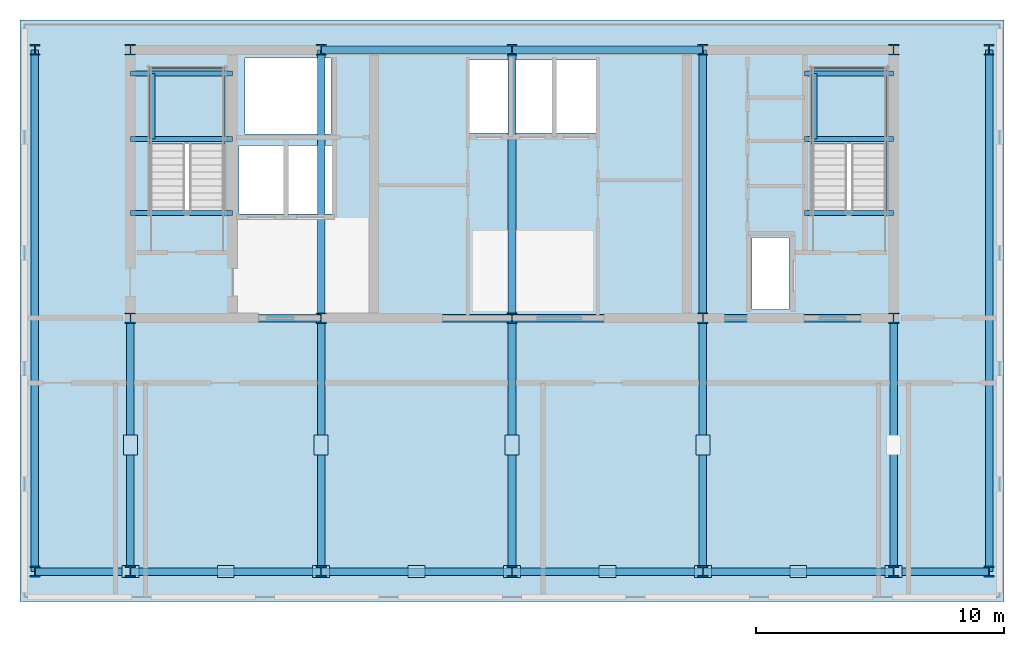
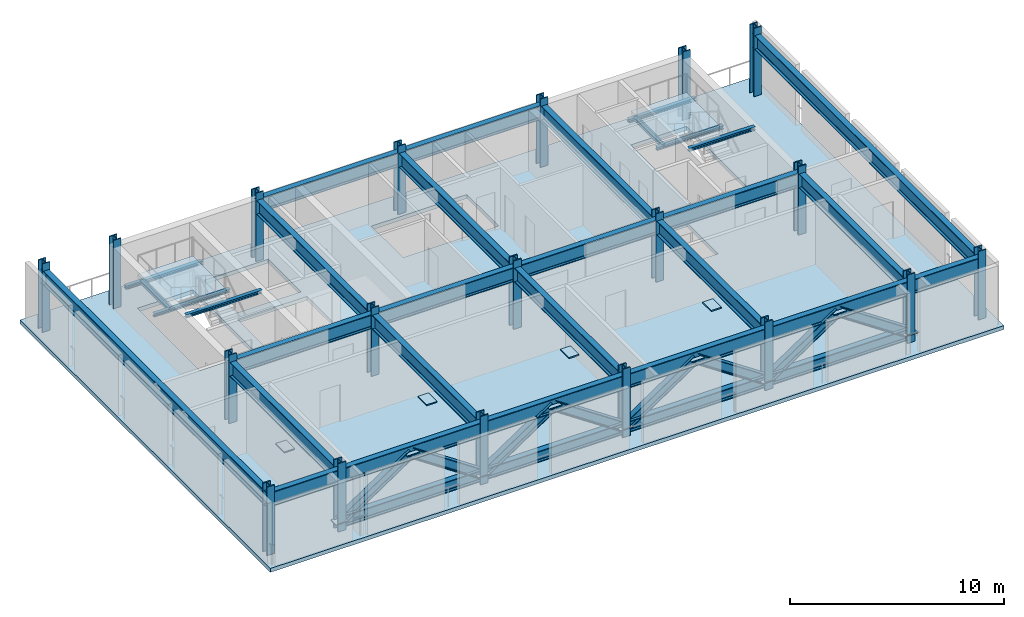
# One storey, part 1 of 8: 30 beams, 19 columns, 13 plates, 12 members, 3 slabs, 2 elements without a shape of their own.
"""IFC4 building model written with IfcOpenShell, lengths in metres."""

import ifcopenshell
import ifcopenshell.guid

model = None  # the IFC model being written
_history = None  # IfcOwnerHistory: only IFC2X3 demands one
_inside = {}  # id of a spatial element -> (the spatial element, [elements in it])
_under = {}  # id of a project, library or spatial element -> (it, [spatial elements below it])
_declared = {}  # id of a project -> (the project, [libraries it declares])
_typed = {}  # id of a type object -> (the type object, [elements of that type])
_made_of = {}  # id of a material, layer set ... -> (it, [elements and type objects made of it])


def new_model(schema):
    """Start an empty IFC model of exactly this schema.

    Asked for "IFC4X3", IfcOpenShell would pick the latest addendum, in which some entities
    have other attributes; the version numbers below select the first issue.
    IFC2X3 requires an IfcOwnerHistory on every rooted entity: one is made here for all.
    """
    global model, _history
    if schema == "IFC4X3":
        model = ifcopenshell.file(schema_version=(4, 3, 0, 0))
    else:
        model = ifcopenshell.file(schema=schema)
    _inside.clear()
    _under.clear()
    _declared.clear()
    _typed.clear()
    _made_of.clear()
    _history = None
    if model.schema == "IFC2X3":
        org = make("IfcOrganization", Name="unknown")
        user = make(
            "IfcPersonAndOrganization",
            ThePerson=make("IfcPerson", FamilyName="unknown"),
            TheOrganization=org,
        )
        app = make(
            "IfcApplication",
            ApplicationDeveloper=org,
            Version="unknown",
            ApplicationFullName="unknown",
            ApplicationIdentifier="unknown",
        )
        _history = make(
            "IfcOwnerHistory",
            OwningUser=user,
            OwningApplication=app,
            ChangeAction="ADDED",
            CreationDate=0,
        )
    return model


def make(cls, **values):
    """One entity of the class cls with the attributes given. An attribute that is None is left unset."""
    return model.create_entity(
        cls, **{name: value for name, value in values.items() if value is not None}
    )


def rooted(cls, **values):
    """An entity with a GlobalId (a new one), such as an element, a storey or a relation."""
    return make(cls, GlobalId=ifcopenshell.guid.new(), OwnerHistory=_history, **values)


def si_unit(unit_type, name, prefix=None):
    """IfcSIUnit, for example si_unit("LENGTHUNIT", "METRE", prefix="MILLI")."""
    return make("IfcSIUnit", UnitType=unit_type, Prefix=prefix, Name=name)


def assignment(units):
    """IfcUnitAssignment: the units of a project."""
    return None if units is None else make("IfcUnitAssignment", Units=units)


def point(xyz):
    """IfcCartesianPoint."""
    return None if xyz is None else make("IfcCartesianPoint", Coordinates=xyz)


def direction(xyz):
    """IfcDirection."""
    return None if xyz is None else make("IfcDirection", DirectionRatios=xyz)


def frame(location, z_axis=None, x_axis=None):
    """IfcAxis2Placement3D, a coordinate frame: its origin and axes. An axis left out is left unset."""
    return make(
        "IfcAxis2Placement3D",
        Location=point(location),
        Axis=direction(z_axis),
        RefDirection=direction(x_axis),
    )


def frame_2d(location, x_axis=None):
    """IfcAxis2Placement2D, a coordinate frame in the plane: its origin and x axis."""
    return make(
        "IfcAxis2Placement2D", Location=point(location), RefDirection=direction(x_axis)
    )


def origin():
    """The frame at (0, 0, 0) with its axes left unset."""
    return frame((0.0, 0.0, 0.0))


def origin_2d():
    """The frame at (0, 0) in the plane with its x axis left unset."""
    return frame_2d((0.0, 0.0))


def place(relative_to, where):
    """IfcLocalPlacement: puts the frame where relative to a parent placement (None: the world)."""
    return make(
        "IfcLocalPlacement", PlacementRelTo=relative_to, RelativePlacement=where
    )


def context(
    kind, dimensions, precision=None, world=None, true_north=None, identifier=None
):
    """IfcGeometricRepresentationContext, for example the 3D "Model" context."""
    return make(
        "IfcGeometricRepresentationContext",
        ContextIdentifier=identifier,
        ContextType=kind,
        CoordinateSpaceDimension=dimensions,
        Precision=precision,
        WorldCoordinateSystem=world,
        TrueNorth=true_north,
    )


def subcontext(parent, identifier, kind, view, scale=None):
    """IfcGeometricRepresentationSubContext, for example "Body" below "Model"."""
    return make(
        "IfcGeometricRepresentationSubContext",
        ContextIdentifier=identifier,
        ContextType=kind,
        ParentContext=parent,
        TargetScale=scale,
        TargetView=view,
    )


def project(units=None, contexts=None):
    """IfcProject with its units and contexts."""
    return rooted(
        "IfcProject",
        Name="project",
        RepresentationContexts=contexts,
        UnitsInContext=assignment(units),
    )


def spatial(cls, under=None, at=None, **own):
    """A site, building, storey or space (cls), placed at a placement, below another one or the project."""
    s = rooted(cls, ObjectPlacement=at, **own)
    if under is not None:
        _under.setdefault(under.id(), (under, []))[1].append(s)
    return s


def polyline(points):
    """IfcPolyline through the points."""
    return make("IfcPolyline", Points=[point(p) for p in points])


def profile(cls, at=None, kind="AREA", **sizes):
    """A parametric profile (cls). Its sizes go by their IFC names, for example OverallWidth=200.0."""
    return make(cls, ProfileType=kind, Position=at, **sizes)


def rectangle(**sizes):
    """IfcRectangleProfileDef."""
    return profile("IfcRectangleProfileDef", **sizes)


def i_section(**sizes):
    """IfcIShapeProfileDef."""
    return profile("IfcIShapeProfileDef", **sizes)


def outline(outer, holes=None, kind="AREA"):
    """IfcArbitraryClosedProfileDef: a profile drawn as a closed curve; with holes, ...WithVoids."""
    if holes is None:
        return make("IfcArbitraryClosedProfileDef", ProfileType=kind, OuterCurve=outer)
    return make(
        "IfcArbitraryProfileDefWithVoids",
        ProfileType=kind,
        OuterCurve=outer,
        InnerCurves=holes,
    )


def extrude(swept, where, along, depth):
    """IfcExtrudedAreaSolid: the profile swept, set in the frame where, extruded along a direction by depth."""
    return make(
        "IfcExtrudedAreaSolid",
        SweptArea=swept,
        Position=where,
        ExtrudedDirection=direction(along),
        Depth=depth,
    )


def shape(context_of_items, identifier, shape_type, items):
    """IfcShapeRepresentation: the items that make up one representation, for example the "Body"."""
    return make(
        "IfcShapeRepresentation",
        ContextOfItems=context_of_items,
        RepresentationIdentifier=identifier,
        RepresentationType=shape_type,
        Items=items,
    )


def material(Name=None, Category=None):
    """IfcMaterial."""
    return make("IfcMaterial", Name=Name, Category=Category)


def layer(
    of_material, thickness, ventilated=None, Name=None, Category=None, Priority=None
):
    """IfcMaterialLayer: one layer of a wall or slab, of a material (None: an air gap)."""
    return make(
        "IfcMaterialLayer",
        Material=of_material,
        LayerThickness=thickness,
        IsVentilated=ventilated,
        Name=Name,
        Category=Category,
        Priority=Priority,
    )


def layer_set(layers, Name=None):
    """IfcMaterialLayerSet."""
    return make("IfcMaterialLayerSet", MaterialLayers=layers, LayerSetName=Name)


def material_profile(
    of_material, cross_section, Name=None, Category=None, Priority=None
):
    """IfcMaterialProfile: a cross section and its material."""
    return make(
        "IfcMaterialProfile",
        Name=Name,
        Material=of_material,
        Profile=cross_section,
        Priority=Priority,
        Category=Category,
    )


def profile_set(profiles, Name=None, composite=None):
    """IfcMaterialProfileSet."""
    return make(
        "IfcMaterialProfileSet",
        Name=Name,
        MaterialProfiles=profiles,
        CompositeProfile=composite,
    )


def made_of(thing, what):
    """Note that an element or type object is made of a material, layer set ...; save() writes the relation."""
    if what is not None:
        _made_of.setdefault(what.id(), (what, []))[1].append(thing)
    return thing


def type_object(cls, material=None, **own):
    """A type object (cls), such as IfcWallType, which elements share."""
    return made_of(rooted(cls, **own), material)


def element(
    cls,
    number,
    at=None,
    inside=None,
    cuts=None,
    type_object=None,
    material=None,
    context=None,
    identifier="Body",
    shape_type=None,
    held_by="IfcProductDefinitionShape",
    body=None,
    shapes=None,
    **own,
):
    """One element of the class cls, such as IfcWall. Its Tag is "e" and its number.

    at: its placement. inside: the storey or other place that contains it. cuts: it is an
    opening in that element (IfcRelVoidsElement). A single representation is given by context,
    identifier, shape_type and body (its items); several are given by shapes. held_by: the class
    of the entity that holds the representations. save() writes the other relations.
    """
    e = rooted(cls, Tag="e%d" % number, ObjectPlacement=at, **own)
    if body is not None:
        shapes = [shape(context, identifier, shape_type, body)]
    if shapes is not None:
        e.Representation = make(held_by, Representations=shapes)
    if inside is not None:
        _inside.setdefault(inside.id(), (inside, []))[1].append(e)
    if cuts is not None:
        rooted(
            "IfcRelVoidsElement", RelatingBuildingElement=cuts, RelatedOpeningElement=e
        )
    if type_object is not None:
        _typed.setdefault(type_object.id(), (type_object, []))[1].append(e)
    return made_of(e, material)


def aggregate(whole, parts):
    """IfcRelAggregates: a whole, such as a stair, and the parts it consists of."""
    return rooted("IfcRelAggregates", RelatingObject=whole, RelatedObjects=parts)


def save(model, path):
    """Write the relations noted so far, then the file.

    IfcRelAggregates (storeys below a building ...), IfcRelContainedInSpatialStructure (elements
    in a storey), IfcRelDefinesByType, IfcRelAssociatesMaterial and IfcRelDeclares: one each for
    every whole, place, type object, material and project.
    """
    for whole, parts in _under.values():
        aggregate(whole, parts)
    for where, things in _inside.values():
        rooted(
            "IfcRelContainedInSpatialStructure",
            RelatedElements=things,
            RelatingStructure=where,
        )
    for kind, things in _typed.values():
        rooted("IfcRelDefinesByType", RelatedObjects=things, RelatingType=kind)
    for what, things in _made_of.values():
        rooted("IfcRelAssociatesMaterial", RelatedObjects=things, RelatingMaterial=what)
    for by, libraries in _declared.values():
        rooted("IfcRelDeclares", RelatingContext=by, RelatedDefinitions=libraries)
    model.write(path)


model = new_model("IFC4")

# Units and contexts
model_context = context("Model", 3, precision=1e-05, world=origin(), true_north=direction((0.0, 1.0)))
body_context = subcontext(model_context, "Body", "Model", "MODEL_VIEW")
ifc_project = project(units=[si_unit("LENGTHUNIT", "METRE"), si_unit("AREAUNIT", "SQUARE_METRE"), si_unit("VOLUMEUNIT", "CUBIC_METRE"), si_unit("PLANEANGLEUNIT", "RADIAN"), si_unit("MASSUNIT", "GRAM", prefix="KILO")], contexts=[model_context])

# Site, building, storey
site_placement = place(None, origin())
site = spatial("IfcSite", under=ifc_project, at=site_placement, CompositionType="ELEMENT")
building_placement = place(site_placement, origin())
building = spatial("IfcBuilding", under=site, at=building_placement, Name="Yelkora Congress Tower", CompositionType="ELEMENT")
storey_placement = place(building_placement, frame((0.0, 0.0, 251.300048828125)))
storey = spatial("IfcBuildingStorey", under=building, at=storey_placement, Name="L70", CompositionType="ELEMENT", Elevation=251.300048828125)

# Columns
ifc_material_1 = material(Name="Steel S460M", Category="steel")
ifc_material_profile_1 = material_profile(ifc_material_1, i_section(OverallWidth=0.412109375, OverallDepth=0.43505859375, WebThickness=0.035888671875, FlangeThickness=0.05810546875, FilletRadius=0.014892578125, at=origin_2d()), Name="HD 400x463")
ifc_profile_set_1 = profile_set([ifc_material_profile_1], Name="Steel S460M")
column_type = type_object("IfcColumnType", Name="COL-HD-463", PredefinedType="COLUMN", material=ifc_profile_set_1)
for number, where, z_axis, x_axis, name in (
    (1, (23.0400390625, 35.39990234375, 0.0), (0.0, 0.0, 1.0), (1.0, 0.0, 0.0), "L70 Mega Column MC-S1"),
    (2, (23.0400390625, 46.199951171875, 0.0), (0.0, 0.0, 1.0), (1.0, 0.0, 0.0), "L70 Mega Column MC-N1"),
    (3, (23.0400390625, 25.199951171875, 0.0), (0.0, 0.0, 1.0), (1.0, 0.0, 0.0), "L70 Mega Column MC-D1"),
    (4, (30.719970703125, 35.39990234375, 0.0), (0.0, 0.0, 1.0), (1.0, 0.0, 0.0), "L70 Mega Column MC-S2"),
    (5, (30.719970703125, 46.199951171875, 0.0), (0.0, 0.0, 1.0), (1.0, 0.0, 0.0), "L70 Mega Column MC-N2"),
    (6, (30.719970703125, 25.199951171875, 0.0), (0.0, 0.0, 1.0), (1.0, 0.0, 0.0), "L70 Mega Column MC-D2"),
    (7, (38.39990234375, 35.39990234375, 0.0), (0.0, 0.0, 1.0), (1.0, 0.0, 0.0), "L70 Mega Column MC-S3"),
    (8, (38.39990234375, 46.199951171875, 0.0), (0.0, 0.0, 1.0), (1.0, 0.0, 0.0), "L70 Mega Column MC-N3"),
    (9, (38.39990234375, 25.199951171875, 0.0), (0.0, 0.0, 1.0), (1.0, 0.0, 0.0), "L70 Mega Column MC-D3"),
    (10, (46.080078125, 35.39990234375, 0.0), (0.0, 0.0, 1.0), (1.0, 0.0, 0.0), "L70 Mega Column MC-S4"),
    (11, (46.080078125, 46.199951171875, 0.0), (0.0, 0.0, 1.0), (1.0, 0.0, 0.0), "L70 Mega Column MC-N4"),
    (12, (46.080078125, 25.199951171875, 0.0), (0.0, 0.0, 1.0), (1.0, 0.0, 0.0), "L70 Mega Column MC-D4"),
    (13, (53.760009765625, 35.39990234375, 0.0), (0.0, 0.0, 1.0), (1.0, 0.0, 0.0), "L70 Mega Column MC-S5"),
    (14, (53.760009765625, 46.199951171875, 0.0), (0.0, 0.0, 1.0), (1.0, 0.0, 0.0), "L70 Mega Column MC-N5"),
    (15, (53.760009765625, 25.199951171875, 0.0), (0.0, 0.0, 1.0), (1.0, 0.0, 0.0), "L70 Mega Column MC-D5"),
    (16, (19.199951171875, 25.199951171875, 0.0), (0.0, 0.0, 1.0), (1.0, 0.0, 0.0), "L70 Mega Column MC-F1"),
    (17, (57.60009765625, 25.199951171875, 0.0), (0.0, 0.0, 1.0), (1.0, 0.0, 0.0), "L70 Mega Column MC-F2"),
    (18, (19.199951171875, 46.199951171875, 0.0), (0.0, 0.0, 1.0), (1.0, 0.0, 0.0), "L70 Mega Column MC-F3"),
    (19, (57.60009765625, 46.199951171875, 0.0), (0.0, 0.0, 1.0), (1.0, 0.0, 0.0), "L70 Mega Column MC-F4"),
):
    element("IfcColumn", number, at=place(storey_placement, frame(where, z_axis=z_axis, x_axis=x_axis)), inside=storey, type_object=column_type, Name=name, PredefinedType="COLUMN", context=body_context, shape_type="SweptSolid", body=[
        extrude(i_section(OverallWidth=0.412109375, OverallDepth=0.43505859375, WebThickness=0.035888671875, FlangeThickness=0.05810546875, FilletRadius=0.014892578125, at=origin_2d()), origin(), (0.0, 0.0, 1.0), 3.89990234375),
    ])

# Beams
ifc_material_2 = material(Name="Steel S355J2", Category="steel")
ifc_material_profile_2 = material_profile(ifc_material_2, i_section(OverallWidth=0.199951171875, OverallDepth=0.18994140625, WebThickness=0.006591796875, FlangeThickness=0.010009765625, FilletRadius=0.01806640625, at=origin_2d()), Name="HEA 200")
ifc_profile_set_2 = profile_set([ifc_material_profile_2], Name="Steel S355J2")
beam_type_1 = type_object("IfcBeamType", Name="BM-LAND-HEA200", PredefinedType="BEAM", material=ifc_profile_set_2)
for number, where, z_axis, x_axis, name in (
    (20, (23.0400390625, 42.6201171875, 1.634521484375), (1.0, 0.0, 0.0), (0.0, 1.0, 0.0), "ST-01 L70 Landing Header Beam 1S"),
    (21, (23.0400390625, 45.25, 1.634521484375), (1.0, 0.0, 0.0), (0.0, 1.0, 0.0), "ST-01 L70 Landing Header Beam 1N"),
):
    element("IfcBeam", number, at=place(storey_placement, frame(where, z_axis=z_axis, x_axis=x_axis)), inside=storey, type_object=beam_type_1, Name=name, PredefinedType="BEAM", context=body_context, shape_type="SweptSolid", body=[
        extrude(i_section(OverallWidth=0.199951171875, OverallDepth=0.18994140625, WebThickness=0.006591796875, FlangeThickness=0.010009765625, FilletRadius=0.01806640625, at=origin_2d()), origin(), (0.0, 0.0, 1.0), 4.10986328125),
    ])
beam_1_placement = place(storey_placement, frame((23.93994140625, 42.6201171875, 1.634521484375), z_axis=(0.0, 1.0, 0.0), x_axis=(-1.0, 0.0, 0.0)))
element("IfcBeam", 22, at=beam_1_placement, inside=storey, type_object=beam_type_1, Name="ST-01 L70 Landing Trimmer Beam 1M", PredefinedType="BEAM", context=body_context, shape_type="SweptSolid", body=[
    extrude(i_section(OverallWidth=0.199951171875, OverallDepth=0.18994140625, WebThickness=0.006591796875, FlangeThickness=0.010009765625, FilletRadius=0.01806640625, at=origin_2d()), origin(), (0.0, 0.0, 1.0), 2.6298828125),
])
beam_2_placement = place(storey_placement, frame((23.0400390625, 39.639892578125, 3.384521484375), z_axis=(1.0, 0.0, 0.0), x_axis=(0.0, 1.0, 0.0)))
element("IfcBeam", 23, at=beam_2_placement, inside=storey, type_object=beam_type_1, Name="ST-01 L70 Floor Arrival Stringer Header Beam", PredefinedType="BEAM", context=body_context, shape_type="SweptSolid", body=[
    extrude(i_section(OverallWidth=0.199951171875, OverallDepth=0.18994140625, WebThickness=0.006591796875, FlangeThickness=0.010009765625, FilletRadius=0.01806640625, at=origin_2d()), origin(), (0.0, 0.0, 1.0), 4.10986328125),
])
for number, where, z_axis, x_axis, name in (
    (24, (50.179931640625, 42.6201171875, 1.634521484375), (1.0, 0.0, 0.0), (0.0, 1.0, 0.0), "ST-02 L70 Landing Header Beam 1S"),
    (25, (50.179931640625, 45.25, 1.634521484375), (1.0, 0.0, 0.0), (0.0, 1.0, 0.0), "ST-02 L70 Landing Header Beam 1N"),
):
    element("IfcBeam", number, at=place(storey_placement, frame(where, z_axis=z_axis, x_axis=x_axis)), inside=storey, type_object=beam_type_1, Name=name, PredefinedType="BEAM", context=body_context, shape_type="SweptSolid", body=[
        extrude(i_section(OverallWidth=0.199951171875, OverallDepth=0.18994140625, WebThickness=0.006591796875, FlangeThickness=0.010009765625, FilletRadius=0.01806640625, at=origin_2d()), origin(), (0.0, 0.0, 1.0), 3.580078125),
    ])
beam_3_placement = place(storey_placement, frame((50.580078125, 42.6201171875, 1.634521484375), z_axis=(0.0, 1.0, 0.0), x_axis=(-1.0, 0.0, 0.0)))
element("IfcBeam", 26, at=beam_3_placement, inside=storey, type_object=beam_type_1, Name="ST-02 L70 Landing Trimmer Beam 1M", PredefinedType="BEAM", context=body_context, shape_type="SweptSolid", body=[
    extrude(i_section(OverallWidth=0.199951171875, OverallDepth=0.18994140625, WebThickness=0.006591796875, FlangeThickness=0.010009765625, FilletRadius=0.01806640625, at=origin_2d()), origin(), (0.0, 0.0, 1.0), 2.6298828125),
])
beam_4_placement = place(storey_placement, frame((50.179931640625, 39.639892578125, 3.384521484375), z_axis=(1.0, 0.0, 0.0), x_axis=(0.0, 1.0, 0.0)))
element("IfcBeam", 27, at=beam_4_placement, inside=storey, type_object=beam_type_1, Name="ST-02 L70 Floor Arrival Stringer Header Beam", PredefinedType="BEAM", context=body_context, shape_type="SweptSolid", body=[
    extrude(i_section(OverallWidth=0.199951171875, OverallDepth=0.18994140625, WebThickness=0.006591796875, FlangeThickness=0.010009765625, FilletRadius=0.01806640625, at=origin_2d()), origin(), (0.0, 0.0, 1.0), 3.580078125),
])
ifc_material_profile_3 = material_profile(ifc_material_1, i_section(OverallWidth=0.302978515625, OverallDepth=0.81396484375, WebThickness=0.02099609375, FlangeThickness=0.0400390625, FilletRadius=0.030029296875, at=origin_2d()), Name="HEM 800")
ifc_profile_set_3 = profile_set([ifc_material_profile_3], Name="Steel S460M")
beam_type_2 = type_object("IfcBeamType", Name="BM-XFER-HEM800", PredefinedType="BEAM", material=ifc_profile_set_3)
beam_5_placement = place(storey_placement, frame((19.199951171875, 25.199951171875, 3.072998046875), z_axis=(1.0, 0.0, 0.0), x_axis=(0.0, 1.0, 0.0)))
element("IfcBeam", 28, at=beam_5_placement, inside=storey, type_object=beam_type_2, Name="L70 Spine Grid D Girder 1", PredefinedType="BEAM", context=body_context, shape_type="SweptSolid", body=[
    extrude(i_section(OverallWidth=0.302978515625, OverallDepth=0.81396484375, WebThickness=0.02099609375, FlangeThickness=0.0400390625, FilletRadius=0.030029296875, at=origin_2d()), origin(), (0.0, 0.0, 1.0), 3.840087890625),
])
for number, where, z_axis, x_axis, name in (
    (29, (23.0400390625, 25.199951171875, 3.072998046875), (1.0, 0.0, 0.0), (0.0, 1.0, 0.0), "L70 Spine Grid D Girder 2"),
    (30, (30.719970703125, 25.199951171875, 3.072998046875), (1.0, 0.0, 0.0), (0.0, 1.0, 0.0), "L70 Spine Grid D Girder 3"),
):
    element("IfcBeam", number, at=place(storey_placement, frame(where, z_axis=z_axis, x_axis=x_axis)), inside=storey, type_object=beam_type_2, Name=name, PredefinedType="BEAM", context=body_context, shape_type="SweptSolid", body=[
        extrude(i_section(OverallWidth=0.302978515625, OverallDepth=0.81396484375, WebThickness=0.02099609375, FlangeThickness=0.0400390625, FilletRadius=0.030029296875, at=origin_2d()), origin(), (0.0, 0.0, 1.0), 7.679931640625),
    ])
beam_6_placement = place(storey_placement, frame((38.39990234375, 25.199951171875, 3.072998046875), z_axis=(1.0, 0.0, 0.0), x_axis=(0.0, 1.0, 0.0)))
element("IfcBeam", 31, at=beam_6_placement, inside=storey, type_object=beam_type_2, Name="L70 Spine Grid D Girder 4", PredefinedType="BEAM", context=body_context, shape_type="SweptSolid", body=[
    extrude(i_section(OverallWidth=0.302978515625, OverallDepth=0.81396484375, WebThickness=0.02099609375, FlangeThickness=0.0400390625, FilletRadius=0.030029296875, at=origin_2d()), origin(), (0.0, 0.0, 1.0), 7.68017578125),
])
beam_7_placement = place(storey_placement, frame((46.080078125, 25.199951171875, 3.072998046875), z_axis=(1.0, 0.0, 0.0), x_axis=(0.0, 1.0, 0.0)))
element("IfcBeam", 32, at=beam_7_placement, inside=storey, type_object=beam_type_2, Name="L70 Spine Grid D Girder 5", PredefinedType="BEAM", context=body_context, shape_type="SweptSolid", body=[
    extrude(i_section(OverallWidth=0.302978515625, OverallDepth=0.81396484375, WebThickness=0.02099609375, FlangeThickness=0.0400390625, FilletRadius=0.030029296875, at=origin_2d()), origin(), (0.0, 0.0, 1.0), 7.679931640625),
])
beam_8_placement = place(storey_placement, frame((53.760009765625, 25.199951171875, 3.072998046875), z_axis=(1.0, 0.0, 0.0), x_axis=(0.0, 1.0, 0.0)))
element("IfcBeam", 33, at=beam_8_placement, inside=storey, type_object=beam_type_2, Name="L70 Spine Grid D Girder 6", PredefinedType="BEAM", context=body_context, shape_type="SweptSolid", body=[
    extrude(i_section(OverallWidth=0.302978515625, OverallDepth=0.81396484375, WebThickness=0.02099609375, FlangeThickness=0.0400390625, FilletRadius=0.030029296875, at=origin_2d()), origin(), (0.0, 0.0, 1.0), 3.840087890625),
])
beam_9_placement = place(storey_placement, frame((30.719970703125, 46.199951171875, 3.072998046875), z_axis=(1.0, 0.0, 0.0), x_axis=(0.0, 1.0, 0.0)))
element("IfcBeam", 34, at=beam_9_placement, inside=storey, type_object=beam_type_2, Name="L70 Core North Girder 3", PredefinedType="BEAM", context=body_context, shape_type="SweptSolid", body=[
    extrude(i_section(OverallWidth=0.302978515625, OverallDepth=0.81396484375, WebThickness=0.02099609375, FlangeThickness=0.0400390625, FilletRadius=0.030029296875, at=origin_2d()), origin(), (0.0, 0.0, 1.0), 7.679931640625),
])
beam_10_placement = place(storey_placement, frame((38.39990234375, 46.199951171875, 3.072998046875), z_axis=(1.0, 0.0, 0.0), x_axis=(0.0, 1.0, 0.0)))
element("IfcBeam", 35, at=beam_10_placement, inside=storey, type_object=beam_type_2, Name="L70 Core North Girder 4", PredefinedType="BEAM", context=body_context, shape_type="SweptSolid", body=[
    extrude(i_section(OverallWidth=0.302978515625, OverallDepth=0.81396484375, WebThickness=0.02099609375, FlangeThickness=0.0400390625, FilletRadius=0.030029296875, at=origin_2d()), origin(), (0.0, 0.0, 1.0), 7.68017578125),
])
for number, where, z_axis, x_axis, name in (
    (36, (23.0400390625, 35.39990234375, 3.072998046875), (1.0, 0.0, 0.0), (0.0, 1.0, 0.0), "L70 Core South Girder 1"),
    (37, (30.719970703125, 35.39990234375, 3.072998046875), (1.0, 0.0, 0.0), (0.0, 1.0, 0.0), "L70 Core South Girder 2"),
):
    element("IfcBeam", number, at=place(storey_placement, frame(where, z_axis=z_axis, x_axis=x_axis)), inside=storey, type_object=beam_type_2, Name=name, PredefinedType="BEAM", context=body_context, shape_type="SweptSolid", body=[
        extrude(i_section(OverallWidth=0.302978515625, OverallDepth=0.81396484375, WebThickness=0.02099609375, FlangeThickness=0.0400390625, FilletRadius=0.030029296875, at=origin_2d()), origin(), (0.0, 0.0, 1.0), 7.679931640625),
    ])
beam_11_placement = place(storey_placement, frame((38.39990234375, 35.39990234375, 3.072998046875), z_axis=(1.0, 0.0, 0.0), x_axis=(0.0, 1.0, 0.0)))
element("IfcBeam", 38, at=beam_11_placement, inside=storey, type_object=beam_type_2, Name="L70 Core South Girder 3", PredefinedType="BEAM", context=body_context, shape_type="SweptSolid", body=[
    extrude(i_section(OverallWidth=0.302978515625, OverallDepth=0.81396484375, WebThickness=0.02099609375, FlangeThickness=0.0400390625, FilletRadius=0.030029296875, at=origin_2d()), origin(), (0.0, 0.0, 1.0), 7.68017578125),
])
beam_12_placement = place(storey_placement, frame((46.080078125, 35.39990234375, 3.072998046875), z_axis=(1.0, 0.0, 0.0), x_axis=(0.0, 1.0, 0.0)))
element("IfcBeam", 39, at=beam_12_placement, inside=storey, type_object=beam_type_2, Name="L70 Core South Girder 4", PredefinedType="BEAM", context=body_context, shape_type="SweptSolid", body=[
    extrude(i_section(OverallWidth=0.302978515625, OverallDepth=0.81396484375, WebThickness=0.02099609375, FlangeThickness=0.0400390625, FilletRadius=0.030029296875, at=origin_2d()), origin(), (0.0, 0.0, 1.0), 7.679931640625),
])
for number, where, z_axis, x_axis, name in (
    (40, (23.0400390625, 25.199951171875, 3.072998046875), (0.0, 1.0, 0.0), (-1.0, 0.0, 0.0), "L70 Core Tie Girder MC-D1"),
    (41, (30.719970703125, 25.199951171875, 3.072998046875), (0.0, 1.0, 0.0), (-1.0, 0.0, 0.0), "L70 Core Tie Girder MC-D2"),
):
    element("IfcBeam", number, at=place(storey_placement, frame(where, z_axis=z_axis, x_axis=x_axis)), inside=storey, type_object=beam_type_2, Name=name, PredefinedType="BEAM", context=body_context, shape_type="SweptSolid", body=[
        extrude(i_section(OverallWidth=0.302978515625, OverallDepth=0.81396484375, WebThickness=0.02099609375, FlangeThickness=0.0400390625, FilletRadius=0.030029296875, at=origin_2d()), origin(), (0.0, 0.0, 1.0), 10.199951171875),
    ])
beam_13_placement = place(storey_placement, frame((30.719970703125, 35.39990234375, 3.072998046875), z_axis=(0.0, 1.0, 0.0), x_axis=(-1.0, 0.0, 0.0)))
element("IfcBeam", 42, at=beam_13_placement, inside=storey, type_object=beam_type_2, Name="L70 Core Tie Girder MC-S2", PredefinedType="BEAM", context=body_context, shape_type="SweptSolid", body=[
    extrude(i_section(OverallWidth=0.302978515625, OverallDepth=0.81396484375, WebThickness=0.02099609375, FlangeThickness=0.0400390625, FilletRadius=0.030029296875, at=origin_2d()), origin(), (0.0, 0.0, 1.0), 10.800048828125),
])
beam_14_placement = place(storey_placement, frame((38.39990234375, 25.199951171875, 3.072998046875), z_axis=(0.0, 1.0, 0.0), x_axis=(-1.0, 0.0, 0.0)))
element("IfcBeam", 43, at=beam_14_placement, inside=storey, type_object=beam_type_2, Name="L70 Core Tie Girder MC-D3", PredefinedType="BEAM", context=body_context, shape_type="SweptSolid", body=[
    extrude(i_section(OverallWidth=0.302978515625, OverallDepth=0.81396484375, WebThickness=0.02099609375, FlangeThickness=0.0400390625, FilletRadius=0.030029296875, at=origin_2d()), origin(), (0.0, 0.0, 1.0), 10.199951171875),
])
beam_15_placement = place(storey_placement, frame((38.39990234375, 35.39990234375, 3.072998046875), z_axis=(0.0, 1.0, 0.0), x_axis=(-1.0, 0.0, 0.0)))
element("IfcBeam", 44, at=beam_15_placement, inside=storey, type_object=beam_type_2, Name="L70 Core Tie Girder MC-S3", PredefinedType="BEAM", context=body_context, shape_type="SweptSolid", body=[
    extrude(i_section(OverallWidth=0.302978515625, OverallDepth=0.81396484375, WebThickness=0.02099609375, FlangeThickness=0.0400390625, FilletRadius=0.030029296875, at=origin_2d()), origin(), (0.0, 0.0, 1.0), 10.800048828125),
])
beam_16_placement = place(storey_placement, frame((46.080078125, 25.199951171875, 3.072998046875), z_axis=(0.0, 1.0, 0.0), x_axis=(-1.0, 0.0, 0.0)))
element("IfcBeam", 45, at=beam_16_placement, inside=storey, type_object=beam_type_2, Name="L70 Core Tie Girder MC-D4", PredefinedType="BEAM", context=body_context, shape_type="SweptSolid", body=[
    extrude(i_section(OverallWidth=0.302978515625, OverallDepth=0.81396484375, WebThickness=0.02099609375, FlangeThickness=0.0400390625, FilletRadius=0.030029296875, at=origin_2d()), origin(), (0.0, 0.0, 1.0), 10.199951171875),
])
beam_17_placement = place(storey_placement, frame((46.080078125, 35.39990234375, 3.072998046875), z_axis=(0.0, 1.0, 0.0), x_axis=(-1.0, 0.0, 0.0)))
element("IfcBeam", 46, at=beam_17_placement, inside=storey, type_object=beam_type_2, Name="L70 Core Tie Girder MC-S4", PredefinedType="BEAM", context=body_context, shape_type="SweptSolid", body=[
    extrude(i_section(OverallWidth=0.302978515625, OverallDepth=0.81396484375, WebThickness=0.02099609375, FlangeThickness=0.0400390625, FilletRadius=0.030029296875, at=origin_2d()), origin(), (0.0, 0.0, 1.0), 10.800048828125),
])
beam_18_placement = place(storey_placement, frame((53.760009765625, 25.199951171875, 3.072998046875), z_axis=(0.0, 1.0, 0.0), x_axis=(-1.0, 0.0, 0.0)))
element("IfcBeam", 47, at=beam_18_placement, inside=storey, type_object=beam_type_2, Name="L70 Core Tie Girder MC-D5", PredefinedType="BEAM", context=body_context, shape_type="SweptSolid", body=[
    extrude(i_section(OverallWidth=0.302978515625, OverallDepth=0.81396484375, WebThickness=0.02099609375, FlangeThickness=0.0400390625, FilletRadius=0.030029296875, at=origin_2d()), origin(), (0.0, 0.0, 1.0), 10.199951171875),
])
for number, where, z_axis, x_axis, name in (
    (48, (19.199951171875, 25.199951171875, 3.072998046875), (0.0, 1.0, 0.0), (-1.0, 0.0, 0.0), "L70 Neck Flank Girder MC-F1"),
    (49, (57.60009765625, 25.199951171875, 3.072998046875), (0.0, 1.0, 0.0), (-1.0, 0.0, 0.0), "L70 Neck Flank Girder MC-F2"),
):
    element("IfcBeam", number, at=place(storey_placement, frame(where, z_axis=z_axis, x_axis=x_axis)), inside=storey, type_object=beam_type_2, Name=name, PredefinedType="BEAM", context=body_context, shape_type="SweptSolid", body=[
        extrude(i_section(OverallWidth=0.302978515625, OverallDepth=0.81396484375, WebThickness=0.02099609375, FlangeThickness=0.0400390625, FilletRadius=0.030029296875, at=origin_2d()), origin(), (0.0, 0.0, 1.0), 21.0),
    ])

# Members
ifc_material_profile_4 = material_profile(ifc_material_2, i_section(OverallWidth=0.300048828125, OverallDepth=0.5, WebThickness=0.014404296875, FlangeThickness=0.028076171875, FilletRadius=0.027099609375, at=origin_2d()), Name="HEB 500")
ifc_profile_set_4 = profile_set([ifc_material_profile_4], Name="Steel S355J2")
member_type_1 = type_object("IfcMemberType", Name="MEM-BRACE-HEB500", PredefinedType="BRACE", material=ifc_profile_set_4)
member_1_placement = place(storey_placement, frame((23.0400390625, 25.199951171875, 0.449951171875), z_axis=(0.830031277085, 0.0, 0.557716844878), x_axis=(0.0, 1.0, 0.0)))
element("IfcMember", 50, at=member_1_placement, inside=storey, type_object=member_type_1, Name="N4 L70 Outrigger Belt Diagonal 1A", PredefinedType="BRACE", context=body_context, shape_type="SweptSolid", body=[
    extrude(i_section(OverallWidth=0.300048828125, OverallDepth=0.5, WebThickness=0.014404296875, FlangeThickness=0.028076171875, FilletRadius=0.027099609375, at=origin_2d()), origin(), (0.0, 0.0, 1.0), 4.626220703125),
])
for number, where, z_axis, x_axis, name in (
    (51, (30.719970703125, 25.199951171875, 0.449951171875), (-0.830047691294, 0.0, 0.557692415385), (0.0, -1.0, 0.0), "N4 L70 Outrigger Belt Diagonal 1B"),
    (52, (30.719970703125, 25.199951171875, 0.449951171875), (0.830047691294, 0.0, 0.557692415385), (0.0, 1.0, 0.0), "N4 L70 Outrigger Belt Diagonal 2A"),
):
    element("IfcMember", number, at=place(storey_placement, frame(where, z_axis=z_axis, x_axis=x_axis)), inside=storey, type_object=member_type_1, Name=name, PredefinedType="BRACE", context=body_context, shape_type="SweptSolid", body=[
        extrude(i_section(OverallWidth=0.300048828125, OverallDepth=0.5, WebThickness=0.014404296875, FlangeThickness=0.028076171875, FilletRadius=0.027099609375, at=origin_2d()), origin(), (0.0, 0.0, 1.0), 4.62646484375),
    ])
member_2_placement = place(storey_placement, frame((38.39990234375, 25.199951171875, 0.449951171875), z_axis=(-0.830031277085, 0.0, 0.557716844878), x_axis=(0.0, -1.0, 0.0)))
element("IfcMember", 53, at=member_2_placement, inside=storey, type_object=member_type_1, Name="N4 L70 Outrigger Belt Diagonal 2B", PredefinedType="BRACE", context=body_context, shape_type="SweptSolid", body=[
    extrude(i_section(OverallWidth=0.300048828125, OverallDepth=0.5, WebThickness=0.014404296875, FlangeThickness=0.028076171875, FilletRadius=0.027099609375, at=origin_2d()), origin(), (0.0, 0.0, 1.0), 4.626220703125),
])
for number, where, z_axis, x_axis, name in (
    (54, (38.39990234375, 25.199951171875, 0.449951171875), (0.830047691294, 0.0, 0.557692415385), (0.0, 1.0, 0.0), "N4 L70 Outrigger Belt Diagonal 3A"),
    (55, (46.080078125, 25.199951171875, 0.449951171875), (-0.830047691294, 0.0, 0.557692415385), (0.0, -1.0, 0.0), "N4 L70 Outrigger Belt Diagonal 3B"),
):
    element("IfcMember", number, at=place(storey_placement, frame(where, z_axis=z_axis, x_axis=x_axis)), inside=storey, type_object=member_type_1, Name=name, PredefinedType="BRACE", context=body_context, shape_type="SweptSolid", body=[
        extrude(i_section(OverallWidth=0.300048828125, OverallDepth=0.5, WebThickness=0.014404296875, FlangeThickness=0.028076171875, FilletRadius=0.027099609375, at=origin_2d()), origin(), (0.0, 0.0, 1.0), 4.62646484375),
    ])
member_3_placement = place(storey_placement, frame((46.080078125, 25.199951171875, 0.449951171875), z_axis=(0.830031277085, 0.0, 0.557716844878), x_axis=(0.0, 1.0, 0.0)))
element("IfcMember", 56, at=member_3_placement, inside=storey, type_object=member_type_1, Name="N4 L70 Outrigger Belt Diagonal 4A", PredefinedType="BRACE", context=body_context, shape_type="SweptSolid", body=[
    extrude(i_section(OverallWidth=0.300048828125, OverallDepth=0.5, WebThickness=0.014404296875, FlangeThickness=0.028076171875, FilletRadius=0.027099609375, at=origin_2d()), origin(), (0.0, 0.0, 1.0), 4.626220703125),
])
member_4_placement = place(storey_placement, frame((53.760009765625, 25.199951171875, 0.449951171875), z_axis=(-0.830047691294, 0.0, 0.557692415385), x_axis=(0.0, -1.0, 0.0)))
element("IfcMember", 57, at=member_4_placement, inside=storey, type_object=member_type_1, Name="N4 L70 Outrigger Belt Diagonal 4B", PredefinedType="BRACE", context=body_context, shape_type="SweptSolid", body=[
    extrude(i_section(OverallWidth=0.300048828125, OverallDepth=0.5, WebThickness=0.014404296875, FlangeThickness=0.028076171875, FilletRadius=0.027099609375, at=origin_2d()), origin(), (0.0, 0.0, 1.0), 4.62646484375),
])
ifc_material_profile_5 = material_profile(ifc_material_1, i_section(OverallWidth=0.304931640625, OverallDepth=0.6201171875, WebThickness=0.02099609375, FlangeThickness=0.0400390625, FilletRadius=0.027099609375, at=origin_2d()), Name="HEM 600")
ifc_profile_set_5 = profile_set([ifc_material_profile_5], Name="Steel S460M")
member_type_2 = type_object("IfcMemberType", Name="MEM-CHORD-HEM600", PredefinedType="CHORD", material=ifc_profile_set_5)
for number, where, z_axis, x_axis, name in (
    (58, (23.0400390625, 25.199951171875, 0.449951171875), (1.0, 0.0, 0.0), (0.0, 1.0, 0.0), "N4 L70 Belt Truss Chord 1"),
    (59, (30.719970703125, 25.199951171875, 0.449951171875), (1.0, 0.0, 0.0), (0.0, 1.0, 0.0), "N4 L70 Belt Truss Chord 2"),
):
    element("IfcMember", number, at=place(storey_placement, frame(where, z_axis=z_axis, x_axis=x_axis)), inside=storey, type_object=member_type_2, Name=name, PredefinedType="CHORD", context=body_context, shape_type="SweptSolid", body=[
        extrude(i_section(OverallWidth=0.304931640625, OverallDepth=0.6201171875, WebThickness=0.02099609375, FlangeThickness=0.0400390625, FilletRadius=0.027099609375, at=origin_2d()), origin(), (0.0, 0.0, 1.0), 7.679931640625),
    ])
member_5_placement = place(storey_placement, frame((38.39990234375, 25.199951171875, 0.449951171875), z_axis=(1.0, 0.0, 0.0), x_axis=(0.0, 1.0, 0.0)))
element("IfcMember", 60, at=member_5_placement, inside=storey, type_object=member_type_2, Name="N4 L70 Belt Truss Chord 3", PredefinedType="CHORD", context=body_context, shape_type="SweptSolid", body=[
    extrude(i_section(OverallWidth=0.304931640625, OverallDepth=0.6201171875, WebThickness=0.02099609375, FlangeThickness=0.0400390625, FilletRadius=0.027099609375, at=origin_2d()), origin(), (0.0, 0.0, 1.0), 7.68017578125),
])
member_6_placement = place(storey_placement, frame((46.080078125, 25.199951171875, 0.449951171875), z_axis=(1.0, 0.0, 0.0), x_axis=(0.0, 1.0, 0.0)))
element("IfcMember", 61, at=member_6_placement, inside=storey, type_object=member_type_2, Name="N4 L70 Belt Truss Chord 4", PredefinedType="CHORD", context=body_context, shape_type="SweptSolid", body=[
    extrude(i_section(OverallWidth=0.304931640625, OverallDepth=0.6201171875, WebThickness=0.02099609375, FlangeThickness=0.0400390625, FilletRadius=0.027099609375, at=origin_2d()), origin(), (0.0, 0.0, 1.0), 7.679931640625),
])

# Plates
ifc_layer_1 = layer(ifc_material_2, 0.050048828125)
ifc_layer_set_1 = layer_set([ifc_layer_1], Name="Steel S355J2")
plate_type_1 = type_object("IfcPlateType", Name="PLT-GUSSET-680x480", PredefinedType="USERDEFINED", material=ifc_layer_set_1)
for number, where, z_axis, x_axis, name in (
    (62, (26.8798828125, 25.199951171875, 3.0048828125), (0.0, 0.0, 1.0), (1.0, 0.0, 0.0), "N4 L70 Belt Truss Apex Gusset Plate 1"),
    (63, (23.0400390625, 25.199951171875, 0.4248046875), (0.0, 0.0, 1.0), (1.0, 0.0, 0.0), "N4 L70 Belt Truss Foot Gusset Plate 1L"),
    (64, (34.56005859375, 25.199951171875, 3.0048828125), (0.0, 0.0, 1.0), (1.0, 0.0, 0.0), "N4 L70 Belt Truss Apex Gusset Plate 2"),
    (65, (30.719970703125, 25.199951171875, 0.4248046875), (0.0, 0.0, 1.0), (1.0, 0.0, 0.0), "N4 L70 Belt Truss Foot Gusset Plate 2L"),
    (66, (42.239990234375, 25.199951171875, 3.0048828125), (0.0, 0.0, 1.0), (1.0, 0.0, 0.0), "N4 L70 Belt Truss Apex Gusset Plate 3"),
    (67, (38.39990234375, 25.199951171875, 0.4248046875), (0.0, 0.0, 1.0), (1.0, 0.0, 0.0), "N4 L70 Belt Truss Foot Gusset Plate 3L"),
    (68, (49.919921875, 25.199951171875, 3.0048828125), (0.0, 0.0, 1.0), (1.0, 0.0, 0.0), "N4 L70 Belt Truss Apex Gusset Plate 4"),
    (69, (46.080078125, 25.199951171875, 0.4248046875), (0.0, 0.0, 1.0), (1.0, 0.0, 0.0), "N4 L70 Belt Truss Foot Gusset Plate 4L"),
    (70, (53.760009765625, 25.199951171875, 0.4248046875), (0.0, 0.0, 1.0), (1.0, 0.0, 0.0), "N4 L70 Belt Truss Foot Gusset Plate R"),
):
    element("IfcPlate", number, at=place(storey_placement, frame(where, z_axis=z_axis, x_axis=x_axis)), inside=storey, type_object=plate_type_1, Name=name, ObjectType="GUSSET_PLATE", PredefinedType="USERDEFINED", context=body_context, shape_type="SweptSolid", body=[
        extrude(rectangle(XDim=0.679931640625, YDim=0.47998046875, at=origin_2d()), origin(), (0.0, 0.0, 1.0), 0.050048828125),
    ])
ifc_layer_2 = layer(ifc_material_1, 0.06005859375)
ifc_layer_set_2 = layer_set([ifc_layer_2], Name="Steel S460M")
plate_type_2 = type_object("IfcPlateType", Name="PLT-GUSSET-800x560", PredefinedType="USERDEFINED", material=ifc_layer_set_2)
for number, where, z_axis, x_axis, name in (
    (71, (23.0400390625, 30.300048828125, 1.559814453125), (0.0, 0.0, 1.0), (0.0, 1.0, 0.0), "N4 Outrigger X-Brace Crossing Gusset Plate 1"),
    (72, (30.719970703125, 30.300048828125, 1.559814453125), (0.0, 0.0, 1.0), (0.0, 1.0, 0.0), "N4 Outrigger X-Brace Crossing Gusset Plate 2"),
    (73, (38.39990234375, 30.300048828125, 1.559814453125), (0.0, 0.0, 1.0), (0.0, 1.0, 0.0), "N4 Outrigger X-Brace Crossing Gusset Plate 3"),
    (74, (46.080078125, 30.300048828125, 1.559814453125), (0.0, 0.0, 1.0), (0.0, 1.0, 0.0), "N4 Outrigger X-Brace Crossing Gusset Plate 4"),
):
    element("IfcPlate", number, at=place(storey_placement, frame(where, z_axis=z_axis, x_axis=x_axis)), inside=storey, type_object=plate_type_2, Name=name, ObjectType="GUSSET_PLATE", PredefinedType="USERDEFINED", context=body_context, shape_type="SweptSolid", body=[
        extrude(rectangle(XDim=0.800048828125, YDim=0.56005859375, at=origin_2d()), origin(), (0.0, 0.0, 1.0), 0.06005859375),
    ])

# Stair, slab
ifc_material_3 = material(Name="Concrete C40/50", Category="concrete")
stair_type = type_object("IfcStairType", Name="STAIR-HT-1420-R22-177", PredefinedType="HALF_TURN_STAIR", material=ifc_material_3)
stair_1_placement = place(storey_placement, origin())
stair_1 = element("IfcStair", 75, at=stair_1_placement, inside=storey, type_object=stair_type, Name="West Core Protected Exit Stair ST-01 (L70)", PredefinedType="HALF_TURN_STAIR")
ifc_layer_3 = layer(ifc_material_3, 0.219970703125)
ifc_layer_set_3 = layer_set([ifc_layer_3], Name="Concrete C40/50")
slab_type_1 = type_object("IfcSlabType", Name="SLAB-LANDING-220", PredefinedType="LANDING", material=ifc_layer_set_3)
slab_1_placement = place(storey_placement, frame((0.0, 0.0, 1.72998046875)))
slab_1 = element("IfcSlab", 76, at=slab_1_placement, type_object=slab_type_1, Name="ST-01 L70 Half Landing 1", PredefinedType="LANDING", context=body_context, shape_type="SweptSolid", body=[
    extrude(outline(polyline([(26.820068359375, 42.39990234375), (26.820068359375, 45.469970703125), (23.820068359375, 45.469970703125), (23.820068359375, 42.39990234375), (26.820068359375, 42.39990234375)])), origin(), (0.0, 0.0, 1.0), 0.219970703125),
])
aggregate(stair_1, [slab_1])

stair_2_placement = place(storey_placement, origin())
stair_2 = element("IfcStair", 77, at=stair_2_placement, inside=storey, type_object=stair_type, Name="East Core Protected Exit Stair ST-02 (L70)", PredefinedType="HALF_TURN_STAIR")
slab_2_placement = place(storey_placement, frame((0.0, 0.0, 1.72998046875)))
slab_2 = element("IfcSlab", 78, at=slab_2_placement, type_object=slab_type_1, Name="ST-02 L70 Half Landing 1", PredefinedType="LANDING", context=body_context, shape_type="SweptSolid", body=[
    extrude(outline(polyline([(53.4599609375, 42.39990234375), (53.4599609375, 45.469970703125), (50.4599609375, 45.469970703125), (50.4599609375, 42.39990234375), (53.4599609375, 42.39990234375)])), origin(), (0.0, 0.0, 1.0), 0.219970703125),
])
aggregate(stair_2, [slab_2])

# Slab
ifc_layer_4 = layer(ifc_material_3, 0.219970703125)
ifc_layer_set_4 = layer_set([ifc_layer_4], Name="Concrete C40/50")
slab_type_2 = type_object("IfcSlabType", Name="SLAB-TWR-220", PredefinedType="FLOOR", material=ifc_layer_set_4)
slab_3_placement = place(storey_placement, frame((0.0, 0.0, -0.219970703125)))
element("IfcSlab", 79, at=slab_3_placement, inside=storey, type_object=slab_type_2, Name="L70 Structural Floor Slab", PredefinedType="FLOOR", context=body_context, shape_type="SweptSolid", body=[
    extrude(outline(polyline([(18.60009765625, 24.0), (58.199951171875, 24.0), (58.199951171875, 47.39990234375), (18.60009765625, 47.39990234375), (18.60009765625, 24.0)]), holes=[polyline([(23.820068359375, 39.6298828125), (26.820068359375, 39.6298828125), (26.820068359375, 45.469970703125), (23.820068359375, 45.469970703125), (23.820068359375, 39.6298828125)]), polyline([(50.4599609375, 39.6298828125), (53.4599609375, 39.6298828125), (53.4599609375, 45.469970703125), (50.4599609375, 45.469970703125), (50.4599609375, 39.6298828125)]), polyline([(48.050048828125, 35.75), (49.550048828125, 35.75), (49.550048828125, 38.64990234375), (48.050048828125, 38.64990234375), (48.050048828125, 35.75)]), polyline([(36.64990234375, 42.85009765625), (41.800048828125, 42.85009765625), (41.800048828125, 45.800048828125), (36.64990234375, 45.800048828125), (36.64990234375, 42.85009765625)]), polyline([(27.419921875, 39.60009765625), (31.179931640625, 39.60009765625), (31.179931640625, 42.35009765625), (27.419921875, 42.35009765625), (27.419921875, 39.60009765625)]), polyline([(27.64990234375, 42.820068359375), (31.1201171875, 42.820068359375), (31.1201171875, 45.8798828125), (27.64990234375, 45.8798828125), (27.64990234375, 42.820068359375)])]), origin(), (0.0, 0.0, 1.0), 0.219970703125),
])

save(model, "model.ifc")
